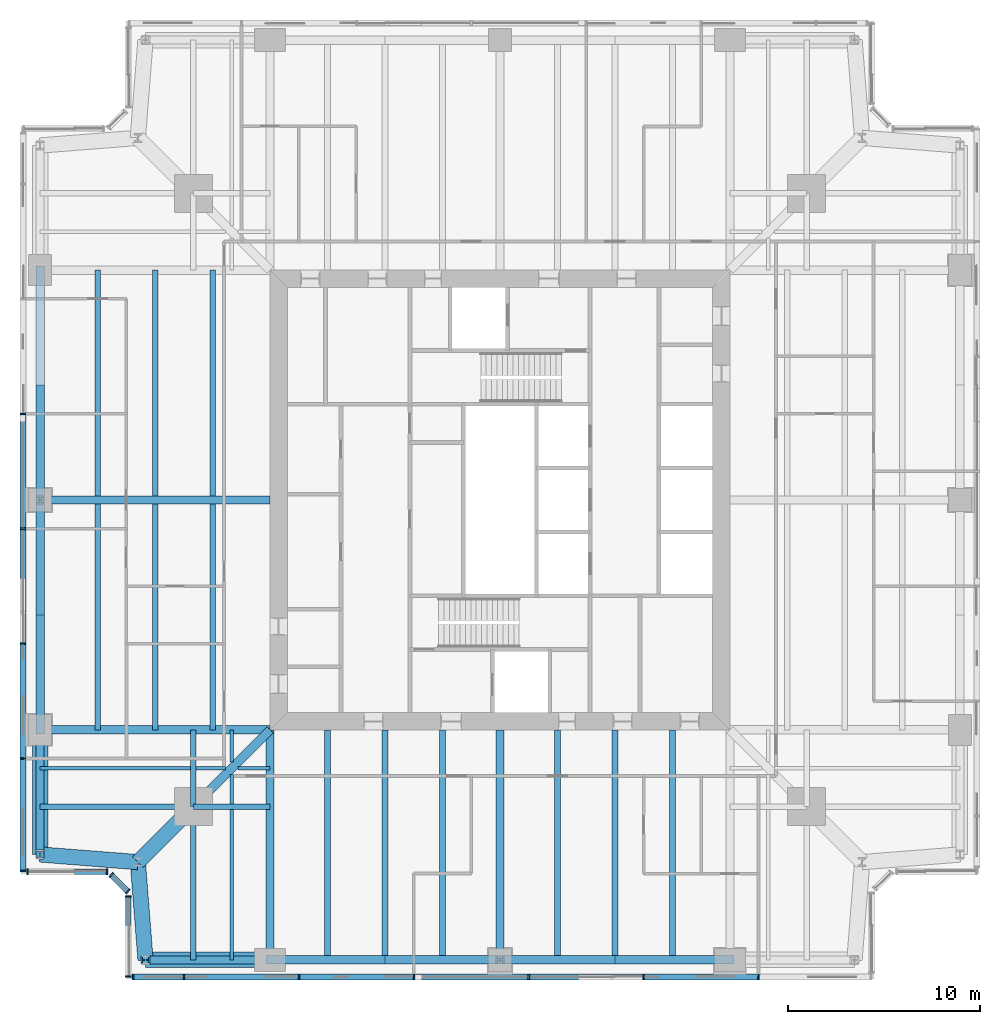
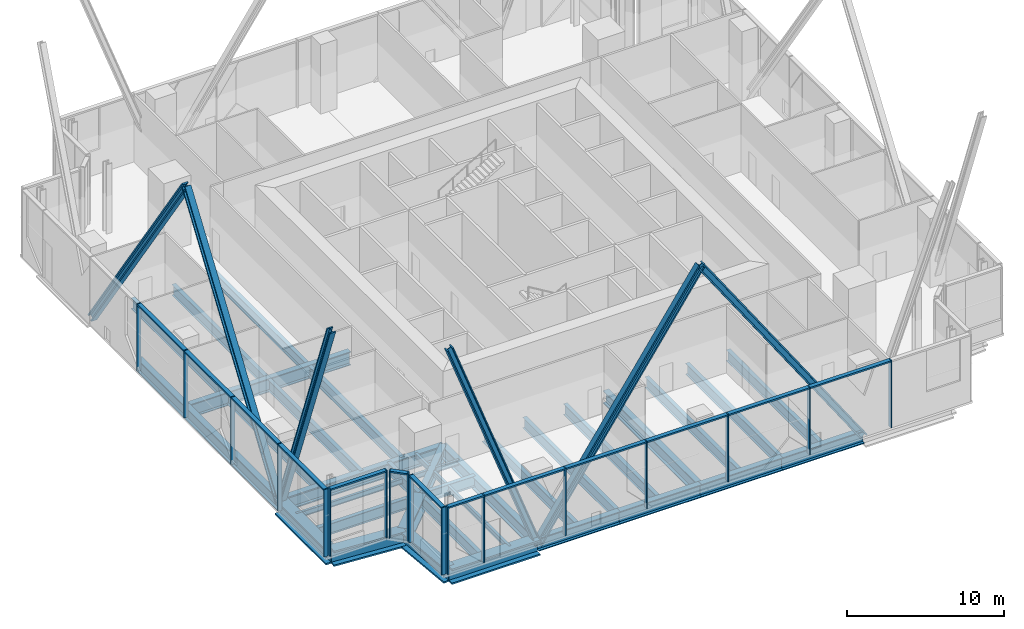
# One storey, part 2 of 14: 39 beams, 37 members, 5 elements without a shape of their own.
"""IFC4 building model written with IfcOpenShell, lengths in metres."""

import ifcopenshell
import ifcopenshell.guid

model = None  # the IFC model being written
_history = None  # IfcOwnerHistory: only IFC2X3 demands one
_inside = {}  # id of a spatial element -> (the spatial element, [elements in it])
_under = {}  # id of a project, library or spatial element -> (it, [spatial elements below it])
_declared = {}  # id of a project -> (the project, [libraries it declares])
_typed = {}  # id of a type object -> (the type object, [elements of that type])
_made_of = {}  # id of a material, layer set ... -> (it, [elements and type objects made of it])


def new_model(schema):
    """Start an empty IFC model of exactly this schema.

    Asked for "IFC4X3", IfcOpenShell would pick the latest addendum, in which some entities
    have other attributes; the version numbers below select the first issue.
    IFC2X3 requires an IfcOwnerHistory on every rooted entity: one is made here for all.
    """
    global model, _history
    if schema == "IFC4X3":
        model = ifcopenshell.file(schema_version=(4, 3, 0, 0))
    else:
        model = ifcopenshell.file(schema=schema)
    _inside.clear()
    _under.clear()
    _declared.clear()
    _typed.clear()
    _made_of.clear()
    _history = None
    if model.schema == "IFC2X3":
        org = make("IfcOrganization", Name="unknown")
        user = make(
            "IfcPersonAndOrganization",
            ThePerson=make("IfcPerson", FamilyName="unknown"),
            TheOrganization=org,
        )
        app = make(
            "IfcApplication",
            ApplicationDeveloper=org,
            Version="unknown",
            ApplicationFullName="unknown",
            ApplicationIdentifier="unknown",
        )
        _history = make(
            "IfcOwnerHistory",
            OwningUser=user,
            OwningApplication=app,
            ChangeAction="ADDED",
            CreationDate=0,
        )
    return model


def make(cls, **values):
    """One entity of the class cls with the attributes given. An attribute that is None is left unset."""
    return model.create_entity(
        cls, **{name: value for name, value in values.items() if value is not None}
    )


def rooted(cls, **values):
    """An entity with a GlobalId (a new one), such as an element, a storey or a relation."""
    return make(cls, GlobalId=ifcopenshell.guid.new(), OwnerHistory=_history, **values)


def si_unit(unit_type, name, prefix=None):
    """IfcSIUnit, for example si_unit("LENGTHUNIT", "METRE", prefix="MILLI")."""
    return make("IfcSIUnit", UnitType=unit_type, Prefix=prefix, Name=name)


def assignment(units):
    """IfcUnitAssignment: the units of a project."""
    return None if units is None else make("IfcUnitAssignment", Units=units)


def point(xyz):
    """IfcCartesianPoint."""
    return None if xyz is None else make("IfcCartesianPoint", Coordinates=xyz)


def direction(xyz):
    """IfcDirection."""
    return None if xyz is None else make("IfcDirection", DirectionRatios=xyz)


def frame(location, z_axis=None, x_axis=None):
    """IfcAxis2Placement3D, a coordinate frame: its origin and axes. An axis left out is left unset."""
    return make(
        "IfcAxis2Placement3D",
        Location=point(location),
        Axis=direction(z_axis),
        RefDirection=direction(x_axis),
    )


def frame_2d(location, x_axis=None):
    """IfcAxis2Placement2D, a coordinate frame in the plane: its origin and x axis."""
    return make(
        "IfcAxis2Placement2D", Location=point(location), RefDirection=direction(x_axis)
    )


def origin():
    """The frame at (0, 0, 0) with its axes left unset."""
    return frame((0.0, 0.0, 0.0))


def origin_2d():
    """The frame at (0, 0) in the plane with its x axis left unset."""
    return frame_2d((0.0, 0.0))


def place(relative_to, where):
    """IfcLocalPlacement: puts the frame where relative to a parent placement (None: the world)."""
    return make(
        "IfcLocalPlacement", PlacementRelTo=relative_to, RelativePlacement=where
    )


def context(
    kind, dimensions, precision=None, world=None, true_north=None, identifier=None
):
    """IfcGeometricRepresentationContext, for example the 3D "Model" context."""
    return make(
        "IfcGeometricRepresentationContext",
        ContextIdentifier=identifier,
        ContextType=kind,
        CoordinateSpaceDimension=dimensions,
        Precision=precision,
        WorldCoordinateSystem=world,
        TrueNorth=true_north,
    )


def subcontext(parent, identifier, kind, view, scale=None):
    """IfcGeometricRepresentationSubContext, for example "Body" below "Model"."""
    return make(
        "IfcGeometricRepresentationSubContext",
        ContextIdentifier=identifier,
        ContextType=kind,
        ParentContext=parent,
        TargetScale=scale,
        TargetView=view,
    )


def project(units=None, contexts=None):
    """IfcProject with its units and contexts."""
    return rooted(
        "IfcProject",
        Name="project",
        RepresentationContexts=contexts,
        UnitsInContext=assignment(units),
    )


def spatial(cls, under=None, at=None, **own):
    """A site, building, storey or space (cls), placed at a placement, below another one or the project."""
    s = rooted(cls, ObjectPlacement=at, **own)
    if under is not None:
        _under.setdefault(under.id(), (under, []))[1].append(s)
    return s


def profile(cls, at=None, kind="AREA", **sizes):
    """A parametric profile (cls). Its sizes go by their IFC names, for example OverallWidth=200.0."""
    return make(cls, ProfileType=kind, Position=at, **sizes)


def rectangle(**sizes):
    """IfcRectangleProfileDef."""
    return profile("IfcRectangleProfileDef", **sizes)


def i_section(**sizes):
    """IfcIShapeProfileDef."""
    return profile("IfcIShapeProfileDef", **sizes)


def extrude(swept, where, along, depth):
    """IfcExtrudedAreaSolid: the profile swept, set in the frame where, extruded along a direction by depth."""
    return make(
        "IfcExtrudedAreaSolid",
        SweptArea=swept,
        Position=where,
        ExtrudedDirection=direction(along),
        Depth=depth,
    )


def shape(context_of_items, identifier, shape_type, items):
    """IfcShapeRepresentation: the items that make up one representation, for example the "Body"."""
    return make(
        "IfcShapeRepresentation",
        ContextOfItems=context_of_items,
        RepresentationIdentifier=identifier,
        RepresentationType=shape_type,
        Items=items,
    )


def material(Name=None, Category=None):
    """IfcMaterial."""
    return make("IfcMaterial", Name=Name, Category=Category)


def material_profile(
    of_material, cross_section, Name=None, Category=None, Priority=None
):
    """IfcMaterialProfile: a cross section and its material."""
    return make(
        "IfcMaterialProfile",
        Name=Name,
        Material=of_material,
        Profile=cross_section,
        Priority=Priority,
        Category=Category,
    )


def profile_set(profiles, Name=None, composite=None):
    """IfcMaterialProfileSet."""
    return make(
        "IfcMaterialProfileSet",
        Name=Name,
        MaterialProfiles=profiles,
        CompositeProfile=composite,
    )


def made_of(thing, what):
    """Note that an element or type object is made of a material, layer set ...; save() writes the relation."""
    if what is not None:
        _made_of.setdefault(what.id(), (what, []))[1].append(thing)
    return thing


def type_object(cls, material=None, **own):
    """A type object (cls), such as IfcWallType, which elements share."""
    return made_of(rooted(cls, **own), material)


def element(
    cls,
    number,
    at=None,
    inside=None,
    cuts=None,
    type_object=None,
    material=None,
    context=None,
    identifier="Body",
    shape_type=None,
    held_by="IfcProductDefinitionShape",
    body=None,
    shapes=None,
    **own,
):
    """One element of the class cls, such as IfcWall. Its Tag is "e" and its number.

    at: its placement. inside: the storey or other place that contains it. cuts: it is an
    opening in that element (IfcRelVoidsElement). A single representation is given by context,
    identifier, shape_type and body (its items); several are given by shapes. held_by: the class
    of the entity that holds the representations. save() writes the other relations.
    """
    e = rooted(cls, Tag="e%d" % number, ObjectPlacement=at, **own)
    if body is not None:
        shapes = [shape(context, identifier, shape_type, body)]
    if shapes is not None:
        e.Representation = make(held_by, Representations=shapes)
    if inside is not None:
        _inside.setdefault(inside.id(), (inside, []))[1].append(e)
    if cuts is not None:
        rooted(
            "IfcRelVoidsElement", RelatingBuildingElement=cuts, RelatedOpeningElement=e
        )
    if type_object is not None:
        _typed.setdefault(type_object.id(), (type_object, []))[1].append(e)
    return made_of(e, material)


def aggregate(whole, parts):
    """IfcRelAggregates: a whole, such as a stair, and the parts it consists of."""
    return rooted("IfcRelAggregates", RelatingObject=whole, RelatedObjects=parts)


def save(model, path):
    """Write the relations noted so far, then the file.

    IfcRelAggregates (storeys below a building ...), IfcRelContainedInSpatialStructure (elements
    in a storey), IfcRelDefinesByType, IfcRelAssociatesMaterial and IfcRelDeclares: one each for
    every whole, place, type object, material and project.
    """
    for whole, parts in _under.values():
        aggregate(whole, parts)
    for where, things in _inside.values():
        rooted(
            "IfcRelContainedInSpatialStructure",
            RelatedElements=things,
            RelatingStructure=where,
        )
    for kind, things in _typed.values():
        rooted("IfcRelDefinesByType", RelatedObjects=things, RelatingType=kind)
    for what, things in _made_of.values():
        rooted("IfcRelAssociatesMaterial", RelatedObjects=things, RelatingMaterial=what)
    for by, libraries in _declared.values():
        rooted("IfcRelDeclares", RelatingContext=by, RelatedDefinitions=libraries)
    model.write(path)


model = new_model("IFC4")

# Units and contexts
model_context = context("Model", 3, precision=1e-05, world=origin(), true_north=direction((0.0, 1.0)))
body_context = subcontext(model_context, "Body", "Model", "MODEL_VIEW")
ifc_project = project(units=[si_unit("LENGTHUNIT", "METRE"), si_unit("AREAUNIT", "SQUARE_METRE"), si_unit("VOLUMEUNIT", "CUBIC_METRE"), si_unit("PLANEANGLEUNIT", "RADIAN"), si_unit("MASSUNIT", "GRAM", prefix="KILO")], contexts=[model_context])

# Site, building, storey
site_placement = place(None, origin())
site = spatial("IfcSite", under=ifc_project, at=site_placement, CompositionType="ELEMENT")
building_placement = place(site_placement, origin())
building = spatial("IfcBuilding", under=site, at=building_placement, Name="Fenwick Lantern Interchange", CompositionType="ELEMENT")
storey_placement = place(building_placement, frame((0.0, 0.0, 168.39990234375)))
storey = spatial("IfcBuildingStorey", under=building, at=storey_placement, Name="L39", CompositionType="ELEMENT", Elevation=168.39990234375)

# Members
ifc_material_1 = material(Name="Steel ASTM A992 Grade 50", Category="steel")
ifc_material_profile_1 = material_profile(ifc_material_1, i_section(OverallWidth=0.424072265625, OverallDepth=0.47509765625, WebThickness=0.0478515625, FlangeThickness=0.0771484375, at=origin_2d()), Name="W14X426")
ifc_profile_set_1 = profile_set([ifc_material_profile_1], Name="Steel ASTM A992 Grade 50")
member_type_1 = type_object("IfcMemberType", Name="FACADE BRACE W14X426", PredefinedType="BRACE", material=ifc_profile_set_1)
for number, where, z_axis, x_axis, name in (
    (1, (13.0, 1.0, -0.696533203125), (-0.348348807467, 0.0, 0.93736498139), (0.0, -1.0, 0.0), "L39/FB/S/AE"),
    (2, (1.0, 13.0, -0.696533203125), (0.0, -0.348348807467, 0.93736498139), (1.0, 0.0, 0.0), "L39/FB/W/BE"),
):
    element("IfcMember", number, at=place(storey_placement, frame(where, z_axis=z_axis, x_axis=x_axis)), inside=storey, type_object=member_type_1, Name=name, PredefinedType="BRACE", context=body_context, shape_type="SweptSolid", body=[
        extrude(i_section(OverallWidth=0.424072265625, OverallDepth=0.47509765625, WebThickness=0.0478515625, FlangeThickness=0.0771484375, at=origin_2d()), origin(), (0.0, 0.0, 1.0), 18.659423828125),
    ])
ifc_material_profile_2 = material_profile(ifc_material_1, i_section(OverallWidth=0.44189453125, OverallDepth=0.53076171875, WebThickness=0.06591796875, FlangeThickness=0.105712890625, at=origin_2d()), Name="W14X605")
ifc_profile_set_2 = profile_set([ifc_material_profile_2], Name="Steel ASTM A992 Grade 50")
member_type_2 = type_object("IfcMemberType", Name="FACADE BRACE W14X605", PredefinedType="BRACE", material=ifc_profile_set_2)
for number, where, z_axis, x_axis, name in (
    (3, (13.0, 1.0, -0.696533203125), (0.565732332995, 0.0, 0.824588944507), (0.0, 1.0, 0.0), "L39/FB/S/A"),
    (4, (37.0, 1.0, -0.696533203125), (-0.565732332995, 0.0, 0.824588944507), (0.0, -1.0, 0.0), "L39/FB/S/B"),
    (5, (1.0, 37.0, -0.696533203125), (0.0, -0.565732332995, 0.824588944507), (1.0, 0.0, 0.0), "L39/FB/W/A"),
    (6, (1.0, 13.0, -0.696533203125), (0.0, 0.565732332995, 0.824588944507), (-1.0, 0.0, 0.0), "L39/FB/W/B"),
):
    element("IfcMember", number, at=place(storey_placement, frame(where, z_axis=z_axis, x_axis=x_axis)), inside=storey, type_object=member_type_2, Name=name, PredefinedType="BRACE", context=body_context, shape_type="SweptSolid", body=[
        extrude(i_section(OverallWidth=0.44189453125, OverallDepth=0.53076171875, WebThickness=0.06591796875, FlangeThickness=0.105712890625, at=origin_2d()), origin(), (0.0, 0.0, 1.0), 21.21142578125),
    ])

# Beams
ifc_material_profile_3 = material_profile(ifc_material_1, i_section(OverallWidth=0.2919921875, OverallDepth=0.845703125, WebThickness=0.015380859375, FlangeThickness=0.0244140625, at=origin_2d()), Name="W33X141")
ifc_profile_set_3 = profile_set([ifc_material_profile_3], Name="Steel ASTM A992 Grade 50")
beam_type_1 = type_object("IfcBeamType", Name="FLOOR BEAM W33X141", PredefinedType="BEAM", material=ifc_profile_set_3)
for number, where, z_axis, x_axis, name in (
    (7, (16.0, 1.0, -0.622802734375), (0.0, 1.0, 0.0), (-1.0, 0.0, 0.0), "L39/FR/S/R02"),
    (8, (19.0, 1.0, -0.622802734375), (0.0, 1.0, 0.0), (-1.0, 0.0, 0.0), "L39/FR/S/R03"),
    (9, (22.0, 1.0, -0.622802734375), (0.0, 1.0, 0.0), (-1.0, 0.0, 0.0), "L39/FR/S/R04"),
    (10, (28.0, 1.0, -0.622802734375), (0.0, 1.0, 0.0), (-1.0, 0.0, 0.0), "L39/FR/S/R06"),
    (11, (31.0, 1.0, -0.622802734375), (0.0, 1.0, 0.0), (-1.0, 0.0, 0.0), "L39/FR/S/R07"),
    (12, (34.0, 1.0, -0.622802734375), (0.0, 1.0, 0.0), (-1.0, 0.0, 0.0), "L39/FR/S/R08"),
):
    element("IfcBeam", number, at=place(storey_placement, frame(where, z_axis=z_axis, x_axis=x_axis)), inside=storey, type_object=beam_type_1, Name=name, PredefinedType="BEAM", context=body_context, shape_type="SweptSolid", body=[
        extrude(i_section(OverallWidth=0.2919921875, OverallDepth=0.845703125, WebThickness=0.015380859375, FlangeThickness=0.0244140625, at=origin_2d()), origin(), (0.0, 0.0, 1.0), 12.0),
    ])
for number, where, z_axis, x_axis, name in (
    (13, (4.0, 37.0, -0.622802734375), (0.0, -1.0, 0.0), (1.0, 0.0, 0.0), "L39/FR/W/B01"),
    (14, (7.0, 37.0, -0.622802734375), (0.0, -1.0, 0.0), (1.0, 0.0, 0.0), "L39/FR/W/B02"),
    (15, (10.0, 37.0, -0.622802734375), (0.0, -1.0, 0.0), (1.0, 0.0, 0.0), "L39/FR/W/B03"),
    (16, (4.0, 24.79541015625, -0.622802734375), (0.0, -1.0, 0.0), (1.0, 0.0, 0.0), "L39/FR/W/B04"),
    (17, (7.0, 24.79541015625, -0.622802734375), (0.0, -1.0, 0.0), (1.0, 0.0, 0.0), "L39/FR/W/B05"),
    (18, (10.0, 24.79541015625, -0.622802734375), (0.0, -1.0, 0.0), (1.0, 0.0, 0.0), "L39/FR/W/B06"),
):
    element("IfcBeam", number, at=place(storey_placement, frame(where, z_axis=z_axis, x_axis=x_axis)), inside=storey, type_object=beam_type_1, Name=name, PredefinedType="BEAM", context=body_context, shape_type="SweptSolid", body=[
        extrude(i_section(OverallWidth=0.2919921875, OverallDepth=0.845703125, WebThickness=0.015380859375, FlangeThickness=0.0244140625, at=origin_2d()), origin(), (0.0, 0.0, 1.0), 11.79541015625),
    ])
ifc_material_profile_4 = material_profile(ifc_material_1, i_section(OverallWidth=0.177734375, OverallDepth=0.406494140625, WebThickness=0.0078125, FlangeThickness=0.012939453125, at=origin_2d()), Name="W16X40")
ifc_profile_set_4 = profile_set([ifc_material_profile_4], Name="Steel ASTM A992 Grade 50")
beam_type_2 = type_object("IfcBeamType", Name="INFILL BEAM W16X40", PredefinedType="JOIST", material=ifc_profile_set_4)
beam_1_placement = place(storey_placement, frame((11.0, 1.0, -0.403076171875), z_axis=(0.0, 1.0, 0.0), x_axis=(-1.0, 0.0, 0.0)))
element("IfcBeam", 19, at=beam_1_placement, inside=storey, type_object=beam_type_2, Name="L39/FR/S/J1", PredefinedType="JOIST", context=body_context, shape_type="SweptSolid", body=[
    extrude(i_section(OverallWidth=0.177734375, OverallDepth=0.406494140625, WebThickness=0.0078125, FlangeThickness=0.012939453125, at=origin_2d()), origin(), (0.0, 0.0, 1.0), 7.85400390625),
])
beam_2_placement = place(storey_placement, frame((11.0, 9.14599609375, -0.403076171875), z_axis=(0.0, 1.0, 0.0), x_axis=(-1.0, 0.0, 0.0)))
element("IfcBeam", 20, at=beam_2_placement, inside=storey, type_object=beam_type_2, Name="L39/FR/S/J2", PredefinedType="JOIST", context=body_context, shape_type="SweptSolid", body=[
    extrude(i_section(OverallWidth=0.177734375, OverallDepth=0.406494140625, WebThickness=0.0078125, FlangeThickness=0.012939453125, at=origin_2d()), origin(), (0.0, 0.0, 1.0), 1.537841796875),
])
beam_3_placement = place(storey_placement, frame((11.0, 11.316162109375, -0.403076171875), z_axis=(0.0, 1.0, 0.0), x_axis=(-1.0, 0.0, 0.0)))
element("IfcBeam", 21, at=beam_3_placement, inside=storey, type_object=beam_type_2, Name="L39/FR/S/J6", PredefinedType="JOIST", context=body_context, shape_type="SweptSolid", body=[
    extrude(i_section(OverallWidth=0.177734375, OverallDepth=0.406494140625, WebThickness=0.0078125, FlangeThickness=0.012939453125, at=origin_2d()), origin(), (0.0, 0.0, 1.0), 1.683837890625),
])
beam_4_placement = place(storey_placement, frame((1.0, 11.0, -0.403076171875), z_axis=(1.0, 0.0, 0.0), x_axis=(0.0, 1.0, 0.0)))
element("IfcBeam", 22, at=beam_4_placement, inside=storey, type_object=beam_type_2, Name="L39/FR/S/J3", PredefinedType="JOIST", context=body_context, shape_type="SweptSolid", body=[
    extrude(i_section(OverallWidth=0.177734375, OverallDepth=0.406494140625, WebThickness=0.0078125, FlangeThickness=0.012939453125, at=origin_2d()), origin(), (0.0, 0.0, 1.0), 7.85400390625),
])
beam_5_placement = place(storey_placement, frame((9.14599609375, 11.0, -0.403076171875), z_axis=(1.0, 0.0, 0.0), x_axis=(0.0, 1.0, 0.0)))
element("IfcBeam", 23, at=beam_5_placement, inside=storey, type_object=beam_type_2, Name="L39/FR/S/J4", PredefinedType="JOIST", context=body_context, shape_type="SweptSolid", body=[
    extrude(i_section(OverallWidth=0.177734375, OverallDepth=0.406494140625, WebThickness=0.0078125, FlangeThickness=0.012939453125, at=origin_2d()), origin(), (0.0, 0.0, 1.0), 1.537841796875),
])
beam_6_placement = place(storey_placement, frame((11.316162109375, 11.0, -0.403076171875), z_axis=(1.0, 0.0, 0.0), x_axis=(0.0, 1.0, 0.0)))
element("IfcBeam", 24, at=beam_6_placement, inside=storey, type_object=beam_type_2, Name="L39/FR/S/J5", PredefinedType="JOIST", context=body_context, shape_type="SweptSolid", body=[
    extrude(i_section(OverallWidth=0.177734375, OverallDepth=0.406494140625, WebThickness=0.0078125, FlangeThickness=0.012939453125, at=origin_2d()), origin(), (0.0, 0.0, 1.0), 1.683837890625),
])
ifc_material_profile_5 = material_profile(ifc_material_1, i_section(OverallWidth=0.2919921875, OverallDepth=0.845703125, WebThickness=0.015380859375, FlangeThickness=0.0244140625, at=origin_2d()), Name="W33X141")
ifc_profile_set_5 = profile_set([ifc_material_profile_5], Name="Steel ASTM A992 Grade 50")
beam_type_3 = type_object("IfcBeamType", Name="MEGA COLUMN BEAM W33X141", PredefinedType="BEAM", material=ifc_profile_set_5)
for number, where, z_axis, x_axis, name in (
    (25, (9.0, 9.0, -0.622802734375), (0.0, -1.0, 0.0), (1.0, 0.0, 0.0), "L39/FR/S/MB1"),
    (26, (9.0, 9.0, -0.622802734375), (-1.0, 0.0, 0.0), (0.0, -1.0, 0.0), "L39/FR/S/MB2"),
):
    element("IfcBeam", number, at=place(storey_placement, frame(where, z_axis=z_axis, x_axis=x_axis)), inside=storey, type_object=beam_type_3, Name=name, PredefinedType="BEAM", context=body_context, shape_type="SweptSolid", body=[
        extrude(i_section(OverallWidth=0.2919921875, OverallDepth=0.845703125, WebThickness=0.015380859375, FlangeThickness=0.0244140625, at=origin_2d()), origin(), (0.0, 0.0, 1.0), 8.0),
    ])
for number, where, z_axis, x_axis, name in (
    (27, (9.0, 9.0, -0.622802734375), (1.0, 0.0, 0.0), (0.0, 1.0, 0.0), "L39/FR/S/MB3"),
    (28, (9.0, 9.0, -0.622802734375), (0.0, 1.0, 0.0), (-1.0, 0.0, 0.0), "L39/FR/S/MB4"),
):
    element("IfcBeam", number, at=place(storey_placement, frame(where, z_axis=z_axis, x_axis=x_axis)), inside=storey, type_object=beam_type_3, Name=name, PredefinedType="BEAM", context=body_context, shape_type="SweptSolid", body=[
        extrude(i_section(OverallWidth=0.2919921875, OverallDepth=0.845703125, WebThickness=0.015380859375, FlangeThickness=0.0244140625, at=origin_2d()), origin(), (0.0, 0.0, 1.0), 4.0),
    ])
ifc_material_profile_6 = material_profile(ifc_material_1, i_section(OverallWidth=0.434326171875, OverallDepth=0.9931640625, WebThickness=0.0380859375, FlangeThickness=0.06396484375, at=origin_2d()), Name="W36X487")
ifc_profile_set_6 = profile_set([ifc_material_profile_6], Name="Steel ASTM A992 Grade 50")
beam_type_4 = type_object("IfcBeamType", Name="MOMENT-CONNECTED GIRDER W36X487", PredefinedType="BEAM", material=ifc_profile_set_6)
for number, where, z_axis, x_axis, name in (
    (29, (13.0, 1.0, -0.696533203125), (0.0, 1.0, 0.0), (-1.0, 0.0, 0.0), "L39/FR/S/R01"),
    (30, (25.0, 1.0, -0.696533203125), (0.0, 1.0, 0.0), (-1.0, 0.0, 0.0), "L39/FR/S/R05"),
):
    element("IfcBeam", number, at=place(storey_placement, frame(where, z_axis=z_axis, x_axis=x_axis)), inside=storey, type_object=beam_type_4, Name=name, PredefinedType="BEAM", context=body_context, shape_type="SweptSolid", body=[
        extrude(i_section(OverallWidth=0.434326171875, OverallDepth=0.9931640625, WebThickness=0.0380859375, FlangeThickness=0.06396484375, at=origin_2d()), origin(), (0.0, 0.0, 1.0), 12.0),
    ])
ifc_material_profile_7 = material_profile(ifc_material_1, i_section(OverallWidth=0.447021484375, OverallDepth=1.0439453125, WebThickness=0.050048828125, FlangeThickness=0.08984375, at=origin_2d()), Name="W36X652")
ifc_profile_set_7 = profile_set([ifc_material_profile_7], Name="Steel ASTM A992 Grade 50")
beam_type_5 = type_object("IfcBeamType", Name="MOMENT-CONNECTED GIRDER W36X652", PredefinedType="BEAM", material=ifc_profile_set_7)
beam_7_placement = place(storey_placement, frame((1.0, 13.0, -0.721923828125), z_axis=(1.0, 0.0, 0.0), x_axis=(0.0, 1.0, 0.0)))
element("IfcBeam", 31, at=beam_7_placement, inside=storey, type_object=beam_type_5, Name="L39/FR/W/R03", PredefinedType="BEAM", context=body_context, shape_type="SweptSolid", body=[
    extrude(i_section(OverallWidth=0.447021484375, OverallDepth=1.0439453125, WebThickness=0.050048828125, FlangeThickness=0.08984375, at=origin_2d()), origin(), (0.0, 0.0, 1.0), 12.0),
])
ifc_material_profile_8 = material_profile(ifc_material_1, i_section(OverallWidth=0.408935546875, OverallDepth=1.04150390625, WebThickness=0.031005859375, FlangeThickness=0.055908203125, at=origin_2d()), Name="W40X397")
ifc_profile_set_8 = profile_set([ifc_material_profile_8], Name="Steel ASTM A992 Grade 50")
beam_type_6 = type_object("IfcBeamType", Name="MOMENT-CONNECTED GIRDER W40X397", PredefinedType="BEAM", material=ifc_profile_set_8)
beam_8_placement = place(storey_placement, frame((1.0, 25.0, -0.720703125), z_axis=(1.0, 0.0, 0.0), x_axis=(0.0, 1.0, 0.0)))
element("IfcBeam", 32, at=beam_8_placement, inside=storey, type_object=beam_type_6, Name="L39/FR/W/R02", PredefinedType="BEAM", context=body_context, shape_type="SweptSolid", body=[
    extrude(i_section(OverallWidth=0.408935546875, OverallDepth=1.04150390625, WebThickness=0.031005859375, FlangeThickness=0.055908203125, at=origin_2d()), origin(), (0.0, 0.0, 1.0), 12.0),
])
ifc_material_2 = material(Name="Steel ASTM A572 Grade 42", Category="steel")
ifc_material_profile_9 = material_profile(ifc_material_2, i_section(OverallWidth=0.800048828125, OverallDepth=1.199951171875, WebThickness=0.06005859375, FlangeThickness=0.1201171875, at=origin_2d()), Name="BU1200X800")
ifc_profile_set_9 = profile_set([ifc_material_profile_9], Name="Steel ASTM A572 Grade 42")
beam_type_7 = type_object("IfcBeamType", Name="MOMENT-CONNECTED TRANSFER GIRDER BU1200X800", PredefinedType="BEAM", material=ifc_profile_set_9)
beam_9_placement = place(storey_placement, frame((6.5, 1.0, -0.7998046875), z_axis=(1.0, 0.0, 0.0), x_axis=(0.0, 1.0, 0.0)))
element("IfcBeam", 33, at=beam_9_placement, inside=storey, type_object=beam_type_7, Name="L39/FR/S/EB1", PredefinedType="BEAM", context=body_context, shape_type="SweptSolid", body=[
    extrude(i_section(OverallWidth=0.800048828125, OverallDepth=1.199951171875, WebThickness=0.06005859375, FlangeThickness=0.1201171875, at=origin_2d()), origin(), (0.0, 0.0, 1.0), 6.5),
])
beam_10_placement = place(storey_placement, frame((9.0, 9.0, -0.7998046875), z_axis=(-0.707106781187, -0.707106781187, 0.0), x_axis=(0.707106781187, -0.707106781187, 0.0)))
element("IfcBeam", 34, at=beam_10_placement, inside=storey, type_object=beam_type_7, Name="L39/FR/S/TG", PredefinedType="BEAM", context=body_context, shape_type="SweptSolid", body=[
    extrude(i_section(OverallWidth=0.800048828125, OverallDepth=1.199951171875, WebThickness=0.06005859375, FlangeThickness=0.1201171875, at=origin_2d()), origin(), (0.0, 0.0, 1.0), 4.10107421875),
])
beam_11_placement = place(storey_placement, frame((1.0, 13.0, -0.7998046875), z_axis=(0.0, -1.0, 0.0), x_axis=(1.0, 0.0, 0.0)))
element("IfcBeam", 35, at=beam_11_placement, inside=storey, type_object=beam_type_7, Name="L39/FR/W/EB6", PredefinedType="BEAM", context=body_context, shape_type="SweptSolid", body=[
    extrude(i_section(OverallWidth=0.800048828125, OverallDepth=1.199951171875, WebThickness=0.06005859375, FlangeThickness=0.1201171875, at=origin_2d()), origin(), (0.0, 0.0, 1.0), 6.5),
])
for number, where, z_axis, x_axis, name in (
    (36, (1.0, 6.5, -0.7998046875), (0.99693998236, -0.078170784639, 0.0), (0.078170784639, 0.99693998236, 0.0), "L39/FR/W/EBR1"),
    (37, (6.10009765625, 6.10009765625, -0.7998046875), (0.078170784639, -0.99693998236, 0.0), (0.99693998236, 0.078170784639, 0.0), "L39/FR/W/EBR2"),
):
    element("IfcBeam", number, at=place(storey_placement, frame(where, z_axis=z_axis, x_axis=x_axis)), inside=storey, type_object=beam_type_7, Name=name, PredefinedType="BEAM", context=body_context, shape_type="SweptSolid", body=[
        extrude(i_section(OverallWidth=0.800048828125, OverallDepth=1.199951171875, WebThickness=0.06005859375, FlangeThickness=0.1201171875, at=origin_2d()), origin(), (0.0, 0.0, 1.0), 5.11572265625),
    ])
ifc_material_profile_10 = material_profile(ifc_material_1, i_section(OverallWidth=0.447021484375, OverallDepth=1.0439453125, WebThickness=0.050048828125, FlangeThickness=0.08984375, at=origin_2d()), Name="W36X652")
ifc_profile_set_10 = profile_set([ifc_material_profile_10], Name="Steel ASTM A992 Grade 50")
beam_type_8 = type_object("IfcBeamType", Name="OUTRIGGER CHORD W36X652", PredefinedType="BEAM", material=ifc_profile_set_10)
beam_12_placement = place(storey_placement, frame((13.0, 13.0, -0.721923828125), z_axis=(-0.707106781187, -0.707106781187, 0.0), x_axis=(0.707106781187, -0.707106781187, 0.0)))
element("IfcBeam", 38, at=beam_12_placement, inside=storey, type_object=beam_type_8, Name="L39/OR/S/TC", PredefinedType="BEAM", context=body_context, shape_type="SweptSolid", body=[
    extrude(i_section(OverallWidth=0.447021484375, OverallDepth=1.0439453125, WebThickness=0.050048828125, FlangeThickness=0.08984375, at=origin_2d()), origin(), (0.0, 0.0, 1.0), 5.65673828125),
])

# Curtain wall, members
ifc_material_3 = material(Name="Aluminium curtain wall frame", Category="aluminium")
curtain_wall_type = type_object("IfcCurtainWallType", Name="SKY LOBBY GLAZING", PredefinedType="USERDEFINED", material=ifc_material_3)
curtain_wall_1_placement = place(storey_placement, origin())
curtain_wall_1 = element("IfcCurtainWall", 39, at=curtain_wall_1_placement, inside=storey, type_object=curtain_wall_type, Name="Sky lobby glazing 01", ObjectType="SKY LOBBY GLAZING", PredefinedType="USERDEFINED")
ifc_material_4 = material(Name="Aluminium extrusion", Category="aluminium")
ifc_material_profile_11 = material_profile(ifc_material_4, rectangle(XDim=0.300048828125, YDim=0.080078125, at=origin_2d()), Name="SKY LOBBY GLAZING MULLION 80 X 300")
ifc_profile_set_11 = profile_set([ifc_material_profile_11], Name="Aluminium extrusion")
member_type_3 = type_object("IfcMemberType", Name="SKY LOBBY GLAZING MULLION 80 X 300", PredefinedType="MULLION", material=ifc_profile_set_11)
member_1_placement = place(storey_placement, frame((5.840087890625, 0.10009765625, 0.0), z_axis=(0.0, 0.0, 1.0), x_axis=(0.0, 1.0, 0.0)))
member_1 = element("IfcMember", 40, at=member_1_placement, type_object=member_type_3, Name="L39/CW/01/M00", PredefinedType="MULLION", context=body_context, shape_type="SweptSolid", body=[
    extrude(rectangle(XDim=0.300048828125, YDim=0.080078125, at=origin_2d()), origin(), (0.0, 0.0, 1.0), 5.25),
])
member_2_placement = place(storey_placement, frame((8.5, 0.10009765625, 0.0), z_axis=(0.0, 0.0, 1.0), x_axis=(0.0, 1.0, 0.0)))
member_2 = element("IfcMember", 41, at=member_2_placement, type_object=member_type_3, Name="L39/CW/01/M01", PredefinedType="MULLION", context=body_context, shape_type="SweptSolid", body=[
    extrude(rectangle(XDim=0.300048828125, YDim=0.080078125, at=origin_2d()), origin(), (0.0, 0.0, 1.0), 5.25),
])
member_3_placement = place(storey_placement, frame((14.5, 0.10009765625, 0.0), z_axis=(0.0, 0.0, 1.0), x_axis=(0.0, 1.0, 0.0)))
member_3 = element("IfcMember", 42, at=member_3_placement, type_object=member_type_3, Name="L39/CW/01/M02", PredefinedType="MULLION", context=body_context, shape_type="SweptSolid", body=[
    extrude(rectangle(XDim=0.300048828125, YDim=0.080078125, at=origin_2d()), origin(), (0.0, 0.0, 1.0), 5.25),
])
member_4_placement = place(storey_placement, frame((20.5, 0.10009765625, 0.0), z_axis=(0.0, 0.0, 1.0), x_axis=(0.0, 1.0, 0.0)))
member_4 = element("IfcMember", 43, at=member_4_placement, type_object=member_type_3, Name="L39/CW/01/M03", PredefinedType="MULLION", context=body_context, shape_type="SweptSolid", body=[
    extrude(rectangle(XDim=0.300048828125, YDim=0.080078125, at=origin_2d()), origin(), (0.0, 0.0, 1.0), 5.25),
])
member_5_placement = place(storey_placement, frame((26.5, 0.10009765625, 0.0), z_axis=(0.0, 0.0, 1.0), x_axis=(0.0, 1.0, 0.0)))
member_5 = element("IfcMember", 44, at=member_5_placement, type_object=member_type_3, Name="L39/CW/01/M04", PredefinedType="MULLION", context=body_context, shape_type="SweptSolid", body=[
    extrude(rectangle(XDim=0.300048828125, YDim=0.080078125, at=origin_2d()), origin(), (0.0, 0.0, 1.0), 5.25),
])
member_6_placement = place(storey_placement, frame((32.5, 0.10009765625, 0.0), z_axis=(0.0, 0.0, 1.0), x_axis=(0.0, 1.0, 0.0)))
member_6 = element("IfcMember", 45, at=member_6_placement, type_object=member_type_3, Name="L39/CW/01/M05", PredefinedType="MULLION", context=body_context, shape_type="SweptSolid", body=[
    extrude(rectangle(XDim=0.300048828125, YDim=0.080078125, at=origin_2d()), origin(), (0.0, 0.0, 1.0), 5.25),
])
member_7_placement = place(storey_placement, frame((38.5, 0.10009765625, 0.0), z_axis=(0.0, 0.0, 1.0), x_axis=(0.0, 1.0, 0.0)))
member_7 = element("IfcMember", 46, at=member_7_placement, type_object=member_type_3, Name="L39/CW/01/M06", PredefinedType="MULLION", context=body_context, shape_type="SweptSolid", body=[
    extrude(rectangle(XDim=0.300048828125, YDim=0.080078125, at=origin_2d()), origin(), (0.0, 0.0, 1.0), 5.25),
])

curtain_wall_2_placement = place(storey_placement, origin())
curtain_wall_2 = element("IfcCurtainWall", 47, at=curtain_wall_2_placement, inside=storey, type_object=curtain_wall_type, Name="Sky lobby glazing 13", ObjectType="SKY LOBBY GLAZING", PredefinedType="USERDEFINED")
member_8_placement = place(storey_placement, frame((0.10009765625, 29.5, 0.0), z_axis=(0.0, 0.0, 1.0), x_axis=(1.0, 0.0, 0.0)))
member_8 = element("IfcMember", 48, at=member_8_placement, type_object=member_type_3, Name="L39/CW/13/M03", PredefinedType="MULLION", context=body_context, shape_type="SweptSolid", body=[
    extrude(rectangle(XDim=0.300048828125, YDim=0.080078125, at=origin_2d()), origin(), (0.0, 0.0, 1.0), 5.25),
])
member_9_placement = place(storey_placement, frame((0.10009765625, 23.5, 0.0), z_axis=(0.0, 0.0, 1.0), x_axis=(1.0, 0.0, 0.0)))
member_9 = element("IfcMember", 49, at=member_9_placement, type_object=member_type_3, Name="L39/CW/13/M04", PredefinedType="MULLION", context=body_context, shape_type="SweptSolid", body=[
    extrude(rectangle(XDim=0.300048828125, YDim=0.080078125, at=origin_2d()), origin(), (0.0, 0.0, 1.0), 5.25),
])
member_10_placement = place(storey_placement, frame((0.10009765625, 17.5, 0.0), z_axis=(0.0, 0.0, 1.0), x_axis=(1.0, 0.0, 0.0)))
member_10 = element("IfcMember", 50, at=member_10_placement, type_object=member_type_3, Name="L39/CW/13/M05", PredefinedType="MULLION", context=body_context, shape_type="SweptSolid", body=[
    extrude(rectangle(XDim=0.300048828125, YDim=0.080078125, at=origin_2d()), origin(), (0.0, 0.0, 1.0), 5.25),
])
member_11_placement = place(storey_placement, frame((0.10009765625, 11.5, 0.0), z_axis=(0.0, 0.0, 1.0), x_axis=(1.0, 0.0, 0.0)))
member_11 = element("IfcMember", 51, at=member_11_placement, type_object=member_type_3, Name="L39/CW/13/M06", PredefinedType="MULLION", context=body_context, shape_type="SweptSolid", body=[
    extrude(rectangle(XDim=0.300048828125, YDim=0.080078125, at=origin_2d()), origin(), (0.0, 0.0, 1.0), 5.25),
])
member_12_placement = place(storey_placement, frame((0.10009765625, 5.639892578125, 0.0), z_axis=(0.0, 0.0, 1.0), x_axis=(1.0, 0.0, 0.0)))
member_12 = element("IfcMember", 52, at=member_12_placement, type_object=member_type_3, Name="L39/CW/13/M07", PredefinedType="MULLION", context=body_context, shape_type="SweptSolid", body=[
    extrude(rectangle(XDim=0.300048828125, YDim=0.080078125, at=origin_2d()), origin(), (0.0, 0.0, 1.0), 5.25),
])

curtain_wall_3_placement = place(storey_placement, origin())
curtain_wall_3 = element("IfcCurtainWall", 53, at=curtain_wall_3_placement, inside=storey, type_object=curtain_wall_type, Name="Sky lobby glazing 14", ObjectType="SKY LOBBY GLAZING", PredefinedType="USERDEFINED")
member_13_placement = place(storey_placement, frame((0.340087890625, 5.60009765625, 0.0), z_axis=(0.0, 0.0, 1.0), x_axis=(0.0, 1.0, 0.0)))
member_13 = element("IfcMember", 54, at=member_13_placement, type_object=member_type_3, Name="L39/CW/14/M00", PredefinedType="MULLION", context=body_context, shape_type="SweptSolid", body=[
    extrude(rectangle(XDim=0.300048828125, YDim=0.080078125, at=origin_2d()), origin(), (0.0, 0.0, 1.0), 5.25),
])
member_14_placement = place(storey_placement, frame((4.50146484375, 5.60009765625, 0.0), z_axis=(0.0, 0.0, 1.0), x_axis=(0.0, 1.0, 0.0)))
member_14 = element("IfcMember", 55, at=member_14_placement, type_object=member_type_3, Name="L39/CW/14/M01", PredefinedType="MULLION", context=body_context, shape_type="SweptSolid", body=[
    extrude(rectangle(XDim=0.300048828125, YDim=0.080078125, at=origin_2d()), origin(), (0.0, 0.0, 1.0), 5.25),
])

curtain_wall_4_placement = place(storey_placement, origin())
curtain_wall_4 = element("IfcCurtainWall", 56, at=curtain_wall_4_placement, inside=storey, type_object=curtain_wall_type, Name="Sky lobby glazing 15", ObjectType="SKY LOBBY GLAZING", PredefinedType="USERDEFINED")
member_15_placement = place(storey_placement, frame((4.711181640625, 5.43017578125, 0.0), z_axis=(0.0, 0.0, 1.0), x_axis=(0.707106781187, 0.707106781187, 0.0)))
member_15 = element("IfcMember", 57, at=member_15_placement, type_object=member_type_3, Name="L39/CW/15/M00", PredefinedType="MULLION", context=body_context, shape_type="SweptSolid", body=[
    extrude(rectangle(XDim=0.300048828125, YDim=0.080078125, at=origin_2d()), origin(), (0.0, 0.0, 1.0), 5.25),
])
member_16_placement = place(storey_placement, frame((5.57177734375, 4.56982421875, 0.0), z_axis=(0.0, 0.0, 1.0), x_axis=(0.707106781187, 0.707106781187, 0.0)))
member_16 = element("IfcMember", 58, at=member_16_placement, type_object=member_type_3, Name="L39/CW/15/M01", PredefinedType="MULLION", context=body_context, shape_type="SweptSolid", body=[
    extrude(rectangle(XDim=0.300048828125, YDim=0.080078125, at=origin_2d()), origin(), (0.0, 0.0, 1.0), 5.25),
])

curtain_wall_5_placement = place(storey_placement, origin())
curtain_wall_5 = element("IfcCurtainWall", 59, at=curtain_wall_5_placement, inside=storey, type_object=curtain_wall_type, Name="Sky lobby glazing 16", ObjectType="SKY LOBBY GLAZING", PredefinedType="USERDEFINED")
member_17_placement = place(storey_placement, frame((5.60009765625, 4.301513671875, 0.0), z_axis=(0.0, 0.0, 1.0), x_axis=(1.0, 0.0, 0.0)))
member_17 = element("IfcMember", 60, at=member_17_placement, type_object=member_type_3, Name="L39/CW/16/M00", PredefinedType="MULLION", context=body_context, shape_type="SweptSolid", body=[
    extrude(rectangle(XDim=0.300048828125, YDim=0.080078125, at=origin_2d()), origin(), (0.0, 0.0, 1.0), 5.25),
])
member_18_placement = place(storey_placement, frame((5.60009765625, 0.139892578125, 0.0), z_axis=(0.0, 0.0, 1.0), x_axis=(1.0, 0.0, 0.0)))
member_18 = element("IfcMember", 61, at=member_18_placement, type_object=member_type_3, Name="L39/CW/16/M01", PredefinedType="MULLION", context=body_context, shape_type="SweptSolid", body=[
    extrude(rectangle(XDim=0.300048828125, YDim=0.080078125, at=origin_2d()), origin(), (0.0, 0.0, 1.0), 5.25),
])

# Member
ifc_material_profile_12 = material_profile(ifc_material_4, rectangle(XDim=0.300048828125, YDim=0.1201171875, at=origin_2d()), Name="SKY LOBBY GLAZING TRANSOM 120 X 300")
ifc_profile_set_12 = profile_set([ifc_material_profile_12], Name="Aluminium extrusion")
member_type_4 = type_object("IfcMemberType", Name="SKY LOBBY GLAZING TRANSOM 120 X 300", PredefinedType="MULLION", material=ifc_profile_set_12)
member_19_placement = place(storey_placement, frame((5.8798828125, 0.10009765625, 5.190185546875), z_axis=(1.0, 0.0, 0.0), x_axis=(0.0, 1.0, 0.0)))
member_19 = element("IfcMember", 62, at=member_19_placement, type_object=member_type_4, Name="L39/CW/01/T00", PredefinedType="MULLION", context=body_context, shape_type="SweptSolid", body=[
    extrude(rectangle(XDim=0.300048828125, YDim=0.1201171875, at=origin_2d()), origin(), (0.0, 0.0, 1.0), 2.580078125),
])

member_20_placement = place(storey_placement, frame((8.5400390625, 0.10009765625, 5.190185546875), z_axis=(1.0, 0.0, 0.0), x_axis=(0.0, 1.0, 0.0)))
member_20 = element("IfcMember", 63, at=member_20_placement, type_object=member_type_4, Name="L39/CW/01/T01", PredefinedType="MULLION", context=body_context, shape_type="SweptSolid", body=[
    extrude(rectangle(XDim=0.300048828125, YDim=0.1201171875, at=origin_2d()), origin(), (0.0, 0.0, 1.0), 5.919921875),
])

member_21_placement = place(storey_placement, frame((14.5400390625, 0.10009765625, 5.190185546875), z_axis=(1.0, 0.0, 0.0), x_axis=(0.0, 1.0, 0.0)))
member_21 = element("IfcMember", 64, at=member_21_placement, type_object=member_type_4, Name="L39/CW/01/T02", PredefinedType="MULLION", context=body_context, shape_type="SweptSolid", body=[
    extrude(rectangle(XDim=0.300048828125, YDim=0.1201171875, at=origin_2d()), origin(), (0.0, 0.0, 1.0), 5.919921875),
])

member_22_placement = place(storey_placement, frame((20.5400390625, 0.10009765625, 5.190185546875), z_axis=(1.0, 0.0, 0.0), x_axis=(0.0, 1.0, 0.0)))
member_22 = element("IfcMember", 65, at=member_22_placement, type_object=member_type_4, Name="L39/CW/01/T03", PredefinedType="MULLION", context=body_context, shape_type="SweptSolid", body=[
    extrude(rectangle(XDim=0.300048828125, YDim=0.1201171875, at=origin_2d()), origin(), (0.0, 0.0, 1.0), 5.919921875),
])

member_23_placement = place(storey_placement, frame((26.5400390625, 0.10009765625, 5.190185546875), z_axis=(1.0, 0.0, 0.0), x_axis=(0.0, 1.0, 0.0)))
member_23 = element("IfcMember", 66, at=member_23_placement, type_object=member_type_4, Name="L39/CW/01/T04", PredefinedType="MULLION", context=body_context, shape_type="SweptSolid", body=[
    extrude(rectangle(XDim=0.300048828125, YDim=0.1201171875, at=origin_2d()), origin(), (0.0, 0.0, 1.0), 5.919921875),
])

member_24_placement = place(storey_placement, frame((32.5400390625, 0.10009765625, 5.190185546875), z_axis=(1.0, 0.0, 0.0), x_axis=(0.0, 1.0, 0.0)))
member_24 = element("IfcMember", 67, at=member_24_placement, type_object=member_type_4, Name="L39/CW/01/T05", PredefinedType="MULLION", context=body_context, shape_type="SweptSolid", body=[
    extrude(rectangle(XDim=0.300048828125, YDim=0.1201171875, at=origin_2d()), origin(), (0.0, 0.0, 1.0), 5.919921875),
])

aggregate(curtain_wall_1, [member_1, member_2, member_3, member_4, member_5, member_6, member_7, member_19, member_20, member_21, member_22, member_23, member_24])

member_25_placement = place(storey_placement, frame((0.10009765625, 29.4599609375, 5.190185546875), z_axis=(0.0, -1.0, 0.0), x_axis=(1.0, 0.0, 0.0)))
member_25 = element("IfcMember", 68, at=member_25_placement, type_object=member_type_4, Name="L39/CW/13/T03", PredefinedType="MULLION", context=body_context, shape_type="SweptSolid", body=[
    extrude(rectangle(XDim=0.300048828125, YDim=0.1201171875, at=origin_2d()), origin(), (0.0, 0.0, 1.0), 5.919921875),
])

member_26_placement = place(storey_placement, frame((0.10009765625, 23.4599609375, 5.190185546875), z_axis=(0.0, -1.0, 0.0), x_axis=(1.0, 0.0, 0.0)))
member_26 = element("IfcMember", 69, at=member_26_placement, type_object=member_type_4, Name="L39/CW/13/T04", PredefinedType="MULLION", context=body_context, shape_type="SweptSolid", body=[
    extrude(rectangle(XDim=0.300048828125, YDim=0.1201171875, at=origin_2d()), origin(), (0.0, 0.0, 1.0), 5.919921875),
])

member_27_placement = place(storey_placement, frame((0.10009765625, 17.4599609375, 5.190185546875), z_axis=(0.0, -1.0, 0.0), x_axis=(1.0, 0.0, 0.0)))
member_27 = element("IfcMember", 70, at=member_27_placement, type_object=member_type_4, Name="L39/CW/13/T05", PredefinedType="MULLION", context=body_context, shape_type="SweptSolid", body=[
    extrude(rectangle(XDim=0.300048828125, YDim=0.1201171875, at=origin_2d()), origin(), (0.0, 0.0, 1.0), 5.919921875),
])

member_28_placement = place(storey_placement, frame((0.10009765625, 11.4599609375, 5.190185546875), z_axis=(0.0, -1.0, 0.0), x_axis=(1.0, 0.0, 0.0)))
member_28 = element("IfcMember", 71, at=member_28_placement, type_object=member_type_4, Name="L39/CW/13/T06", PredefinedType="MULLION", context=body_context, shape_type="SweptSolid", body=[
    extrude(rectangle(XDim=0.300048828125, YDim=0.1201171875, at=origin_2d()), origin(), (0.0, 0.0, 1.0), 5.780029296875),
])

aggregate(curtain_wall_2, [member_8, member_9, member_10, member_11, member_12, member_25, member_26, member_27, member_28])

member_29_placement = place(storey_placement, frame((0.3798828125, 5.60009765625, 5.190185546875), z_axis=(1.0, 0.0, 0.0), x_axis=(0.0, 1.0, 0.0)))
member_29 = element("IfcMember", 72, at=member_29_placement, type_object=member_type_4, Name="L39/CW/14/T00", PredefinedType="MULLION", context=body_context, shape_type="SweptSolid", body=[
    extrude(rectangle(XDim=0.300048828125, YDim=0.1201171875, at=origin_2d()), origin(), (0.0, 0.0, 1.0), 4.08154296875),
])

aggregate(curtain_wall_3, [member_13, member_14, member_29])

member_30_placement = place(storey_placement, frame((4.739501953125, 5.402099609375, 5.190185546875), z_axis=(0.706999424203, -0.707214121873, 0.0), x_axis=(0.707214121873, 0.706999424203, 0.0)))
member_30 = element("IfcMember", 73, at=member_30_placement, type_object=member_type_4, Name="L39/CW/15/T00", PredefinedType="MULLION", context=body_context, shape_type="SweptSolid", body=[
    extrude(rectangle(XDim=0.300048828125, YDim=0.1201171875, at=origin_2d()), origin(), (0.0, 0.0, 1.0), 1.13720703125),
])

aggregate(curtain_wall_4, [member_15, member_16, member_30])

member_31_placement = place(storey_placement, frame((5.60009765625, 4.261474609375, 5.190185546875), z_axis=(0.0, -1.0, 0.0), x_axis=(1.0, 0.0, 0.0)))
member_31 = element("IfcMember", 74, at=member_31_placement, type_object=member_type_4, Name="L39/CW/16/T00", PredefinedType="MULLION", context=body_context, shape_type="SweptSolid", body=[
    extrude(rectangle(XDim=0.300048828125, YDim=0.1201171875, at=origin_2d()), origin(), (0.0, 0.0, 1.0), 4.08154296875),
])

aggregate(curtain_wall_5, [member_17, member_18, member_31])

# Beams
ifc_material_profile_13 = material_profile(ifc_material_1, i_section(OverallWidth=0.434326171875, OverallDepth=0.9931640625, WebThickness=0.0380859375, FlangeThickness=0.06396484375, at=origin_2d()), Name="W36X487")
ifc_profile_set_13 = profile_set([ifc_material_profile_13], Name="Steel ASTM A992 Grade 50")
beam_type_9 = type_object("IfcBeamType", Name="TRUSS CHORD EDGE BEAM W36X487", PredefinedType="BEAM", material=ifc_profile_set_13)
for number, where, z_axis, x_axis, name in (
    (75, (13.0, 1.0, -0.696533203125), (1.0, 0.0, 0.0), (0.0, 1.0, 0.0), "L39/FR/S/EB2"),
    (76, (19.0, 1.0, -0.696533203125), (1.0, 0.0, 0.0), (0.0, 1.0, 0.0), "L39/FR/S/EB3"),
    (77, (25.0, 1.0, -0.696533203125), (1.0, 0.0, 0.0), (0.0, 1.0, 0.0), "L39/FR/S/EB4"),
    (78, (31.0, 1.0, -0.696533203125), (1.0, 0.0, 0.0), (0.0, 1.0, 0.0), "L39/FR/S/EB5"),
    (79, (1.0, 31.0, -0.696533203125), (0.0, -1.0, 0.0), (1.0, 0.0, 0.0), "L39/FR/W/EB3"),
    (80, (1.0, 25.0, -0.696533203125), (0.0, -1.0, 0.0), (1.0, 0.0, 0.0), "L39/FR/W/EB4"),
    (81, (1.0, 19.0, -0.696533203125), (0.0, -1.0, 0.0), (1.0, 0.0, 0.0), "L39/FR/W/EB5"),
):
    element("IfcBeam", number, at=place(storey_placement, frame(where, z_axis=z_axis, x_axis=x_axis)), inside=storey, type_object=beam_type_9, Name=name, PredefinedType="BEAM", context=body_context, shape_type="SweptSolid", body=[
        extrude(i_section(OverallWidth=0.434326171875, OverallDepth=0.9931640625, WebThickness=0.0380859375, FlangeThickness=0.06396484375, at=origin_2d()), origin(), (0.0, 0.0, 1.0), 6.0),
    ])

save(model, "model.ifc")
